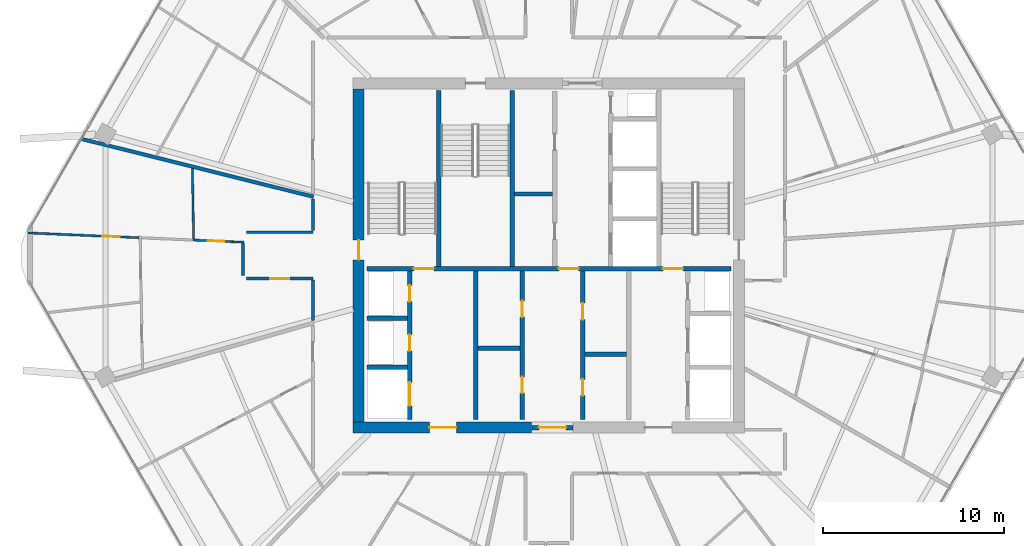
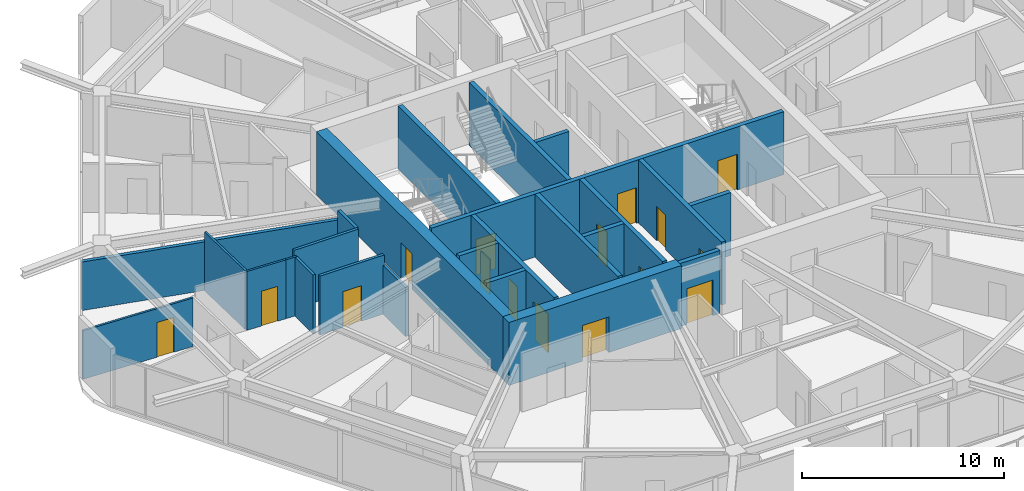
# One storey, part 20 of 26: 25 walls, 16 doors, 16 openings.
"""IFC4 building model written with IfcOpenShell, lengths in metres."""

from ifc_helpers import new_model, si_unit, direction, frame, frame_2d, origin, place, context, subcontext, project, spatial, rectangle, extrude, material, layer, layer_set, type_object, element, fill, save


model = new_model("IFC4")

# Units and contexts
model_context = context("Model", 3, precision=1e-05, world=origin(), true_north=direction((0.0, 1.0)))
body_context = subcontext(model_context, "Body", "Model", "MODEL_VIEW")
ifc_project = project(units=[si_unit("LENGTHUNIT", "METRE"), si_unit("AREAUNIT", "SQUARE_METRE"), si_unit("VOLUMEUNIT", "CUBIC_METRE"), si_unit("PLANEANGLEUNIT", "RADIAN"), si_unit("MASSUNIT", "GRAM", prefix="KILO")], contexts=[model_context])

# Site, building, storey
site_placement = place(None, origin())
site = spatial("IfcSite", under=ifc_project, at=site_placement, CompositionType="ELEMENT")
building_placement = place(site_placement, origin())
building = spatial("IfcBuilding", under=site, at=building_placement, Name="Zuhravey Tower", CompositionType="ELEMENT")
storey_placement = place(building_placement, frame((0.0, 0.0, 242.60009765625)))
storey = spatial("IfcBuildingStorey", under=building, at=storey_placement, Name="L61", CompositionType="ELEMENT", Elevation=242.60009765625)

# Wall, opening, door
ifc_material_1 = material(Name="Concrete C50/60", Category="concrete")
ifc_layer_1 = layer(ifc_material_1, 0.60009765625)
ifc_layer_set_1 = layer_set([ifc_layer_1], Name="Concrete C50/60")
wall_type_1 = type_object("IfcWallType", Name="Core Shear Wall 600", PredefinedType="SHEAR", material=ifc_layer_set_1)
wall_1_placement = place(storey_placement, frame((25.199951171875, 22.5, 0.0), z_axis=(0.0, 0.0, 1.0), x_axis=(1.0, 0.0, 0.0)))
wall_1 = element("IfcWall", 1, at=wall_1_placement, inside=storey, type_object=wall_type_1, Name="L61 South-West Core Shear Wall CW60", PredefinedType="SHEAR", context=body_context, shape_type="SweptSolid", body=[
    extrude(rectangle(XDim=9.85009765625, YDim=0.60009765625, at=frame_2d((4.925048828125, 0.0))), origin(), (0.0, 0.0, 1.0), 3.7998046875),
])
opening_1_placement = place(wall_1_placement, frame((4.199951171875, 0.0, 0.0)))
opening_1 = element("IfcOpeningElement", 2, at=opening_1_placement, cuts=wall_1, Name="Opening FFD1", PredefinedType="OPENING", context=body_context, shape_type="SweptSolid", body=[
    extrude(rectangle(XDim=1.5, YDim=2.14990234375, at=frame_2d((0.75, 1.074951171875))), frame((0.0, 0.31201171875, 0.0), z_axis=(0.0, -1.0, 0.0), x_axis=(1.0, 0.0, 0.0)), (0.0, 0.0, 1.0), 0.6240234375),
])
ifc_material_2 = material(Name="Galvanised fire-rated steel leaf", Category="steel")
door_type_1 = type_object("IfcDoorType", Name="Firefighting Lobby Double Door 1500x2150", OperationType="DOUBLE_DOOR_SINGLE_SWING", PredefinedType="DOOR", material=ifc_material_2)
door_1_placement = place(opening_1_placement, origin())
door_1 = element("IfcDoor", 3, at=door_1_placement, inside=storey, type_object=door_type_1, Name="L61 Firefighting Lobby West Door", OperationType="DOUBLE_DOOR_SINGLE_SWING", OverallHeight=2.14990234375, OverallWidth=1.5, PredefinedType="DOOR", context=body_context, shape_type="SweptSolid", body=[
    extrude(rectangle(XDim=1.5, YDim=2.14990234375, at=frame_2d((0.75, 1.074951171875))), frame((0.0, 0.02490234375, 0.0), z_axis=(0.0, -1.0, 0.0), x_axis=(1.0, 0.0, 0.0)), (0.0, 0.0, 1.0), 0.050048828125),
])
fill(opening_1, door_1)

wall_2_placement = place(storey_placement, frame((25.5, 22.800048828125, 0.0), z_axis=(0.0, 0.0, 1.0), x_axis=(0.0, 1.0, 0.0)))
wall_2 = element("IfcWall", 4, at=wall_2_placement, inside=storey, type_object=wall_type_1, Name="L61 West Core Shear Wall CW60", PredefinedType="SHEAR", context=body_context, shape_type="SweptSolid", body=[
    extrude(rectangle(XDim=18.39990234375, YDim=0.60009765625, at=frame_2d((9.199951171875, 0.0))), origin(), (0.0, 0.0, 1.0), 3.7998046875),
])
opening_2_placement = place(wall_2_placement, frame((8.949951171875, 0.0, 0.0)))
opening_2 = element("IfcOpeningElement", 5, at=opening_2_placement, cuts=wall_2, Name="Opening STD1", PredefinedType="OPENING", context=body_context, shape_type="SweptSolid", body=[
    extrude(rectangle(XDim=1.10009765625, YDim=2.14990234375, at=frame_2d((0.550048828125, 1.074951171875))), frame((0.0, 0.31201171875, 0.0), z_axis=(0.0, -1.0, 0.0), x_axis=(1.0, 0.0, 0.0)), (0.0, 0.0, 1.0), 0.6240234375),
])
door_type_2 = type_object("IfcDoorType", Name="Protected Stair Fire Door 1100x2150", OperationType="NOTDEFINED", PredefinedType="USERDEFINED", material=ifc_material_2)
door_2_placement = place(opening_2_placement, frame((1.10009765625, 0.0, 0.0), z_axis=(0.0, 0.0, 1.0), x_axis=(-1.0, 0.0, 0.0)))
door_2 = element("IfcDoor", 6, at=door_2_placement, inside=storey, type_object=door_type_2, Name="L61 Stair ST1 Door", ObjectType="EXITDOOR", OperationType="SINGLE_SWING_RIGHT", OverallHeight=2.14990234375, OverallWidth=1.10009765625, PredefinedType="USERDEFINED", context=body_context, shape_type="SweptSolid", body=[
    extrude(rectangle(XDim=1.10009765625, YDim=2.14990234375, at=frame_2d((0.550048828125, 1.074951171875))), frame((0.0, 0.02490234375, 0.0), z_axis=(0.0, -1.0, 0.0), x_axis=(1.0, 0.0, 0.0)), (0.0, 0.0, 1.0), 0.050048828125),
])
fill(opening_2, door_2)

ifc_material_3 = material(Name="Gypsum fire-rated stud partition")
ifc_layer_2 = layer(ifc_material_3, 0.159912109375)
ifc_layer_set_2 = layer_set([ifc_layer_2], Name="Gypsum fire-rated stud partition")
wall_type_2 = type_object("IfcWallType", Name="Corridor Fire Partition 160", PredefinedType="PARTITIONING", material=ifc_layer_set_2)
wall_3_placement = place(storey_placement, frame((19.300048828125, 30.719970703125, 0.0), z_axis=(0.0, 0.0, 1.0), x_axis=(1.0, 0.0, 0.0)))
wall_3 = element("IfcWall", 7, at=wall_3_placement, inside=storey, type_object=wall_type_2, Name="L61 IW16 Partition 034", PredefinedType="PARTITIONING", context=body_context, shape_type="SweptSolid", body=[
    extrude(rectangle(XDim=3.669921875, YDim=0.159912109375, at=frame_2d((1.8349609375, 0.0))), origin(), (0.0, 0.0, 1.0), 3.5498046875),
])
opening_3_placement = place(wall_3_placement, frame((1.31005859375, 0.0, 0.0)))
opening_3 = element("IfcOpeningElement", 8, at=opening_3_placement, cuts=wall_3, Name="Opening APD1", PredefinedType="OPENING", context=body_context, shape_type="SweptSolid", body=[
    extrude(rectangle(XDim=1.050048828125, YDim=2.14990234375, at=frame_2d((0.52490234375, 1.074951171875))), frame((0.0, 0.092041015625, 0.0), z_axis=(0.0, -1.0, 0.0), x_axis=(1.0, 0.0, 0.0)), (0.0, 0.0, 1.0), 0.183837890625),
])
ifc_material_4 = material(Name="Solid-core oak fire-rated leaf")
door_type_3 = type_object("IfcDoorType", Name="Apartment Entrance Fire Door 1050x2150", OperationType="NOTDEFINED", PredefinedType="DOOR", material=ifc_material_4)
door_3_placement = place(opening_3_placement, frame((1.050048828125, 0.0, 0.0), z_axis=(0.0, 0.0, 1.0), x_axis=(-1.0, 0.0, 0.0)))
door_3 = element("IfcDoor", 9, at=door_3_placement, inside=storey, type_object=door_type_3, Name="L61 Door 034.1", OperationType="SINGLE_SWING_RIGHT", OverallHeight=2.14990234375, OverallWidth=1.050048828125, PredefinedType="DOOR", context=body_context, shape_type="SweptSolid", body=[
    extrude(rectangle(XDim=1.050048828125, YDim=2.14990234375, at=frame_2d((0.52490234375, 1.074951171875))), frame((0.0, 0.02490234375, 0.0), z_axis=(0.0, -1.0, 0.0), x_axis=(1.0, 0.0, 0.0)), (0.0, 0.0, 1.0), 0.050048828125),
])
fill(opening_3, door_3)

# Walls
wall_4_placement = place(storey_placement, frame((22.969970703125, 30.632080078125, 0.0), z_axis=(0.0, 0.0, 1.0), x_axis=(0.0, -1.0, 0.0)))
element("IfcWall", 10, at=wall_4_placement, inside=storey, type_object=wall_type_2, Name="L61 IW16 Partition 124", PredefinedType="PARTITIONING", context=body_context, shape_type="SweptSolid", body=[
    extrude(rectangle(XDim=2.224853515625, YDim=0.159912109375, at=frame_2d((1.1123046875, 0.0))), origin(), (0.0, 0.0, 1.0), 2.949951171875),
])
wall_5_placement = place(storey_placement, frame((19.1201171875, 32.6630859375, 0.0), z_axis=(0.0, 0.0, 1.0), x_axis=(0.0, -1.0, 0.0)))
element("IfcWall", 11, at=wall_5_placement, inside=storey, type_object=wall_type_2, Name="L61 IW16 Partition 125", PredefinedType="PARTITIONING", context=body_context, shape_type="SweptSolid", body=[
    extrude(rectangle(XDim=1.76318359375, YDim=0.159912109375, at=frame_2d((0.881591796875, 0.0))), origin(), (0.0, 0.0, 1.0), 3.5498046875),
])
wall_6_placement = place(storey_placement, frame((22.969970703125, 33.280029296875, 0.0), z_axis=(0.0, 0.0, 1.0), x_axis=(-1.0, 0.0, 0.0)))
element("IfcWall", 12, at=wall_6_placement, inside=storey, type_object=wall_type_2, Name="L61 IW16 Partition 126", PredefinedType="PARTITIONING", context=body_context, shape_type="SweptSolid", body=[
    extrude(rectangle(XDim=3.669921875, YDim=0.159912109375, at=frame_2d((1.8349609375, 0.0))), origin(), (0.0, 0.0, 1.0), 3.5498046875),
])
wall_7_placement = place(storey_placement, frame((22.969970703125, 35.107666015625, 0.0), z_axis=(0.0, 0.0, 1.0), x_axis=(0.0, -1.0, 0.0)))
element("IfcWall", 13, at=wall_7_placement, inside=storey, type_object=wall_type_2, Name="L61 IW16 Partition 127", PredefinedType="PARTITIONING", context=body_context, shape_type="SweptSolid", body=[
    extrude(rectangle(XDim=1.73974609375, YDim=0.159912109375, at=frame_2d((0.869873046875, 0.0))), origin(), (0.0, 0.0, 1.0), 3.5498046875),
])

# Wall, opening, door
ifc_layer_3 = layer(ifc_material_1, 0.25)
ifc_layer_set_3 = layer_set([ifc_layer_3], Name="Concrete C50/60")
wall_type_3 = type_object("IfcWallType", Name="Firefighting Shaft & Stair Wall 250", PredefinedType="SOLIDWALL", material=ifc_layer_set_3)
wall_8_placement = place(storey_placement, frame((35.06005859375, 22.5, 0.0), z_axis=(0.0, 0.0, 1.0), x_axis=(1.0, 0.0, 0.0)))
wall_8 = element("IfcWall", 14, at=wall_8_placement, inside=storey, type_object=wall_type_3, Name="L61 FW25 Shaft Wall 001", PredefinedType="SOLIDWALL", context=body_context, shape_type="SweptSolid", body=[
    extrude(rectangle(XDim=2.280029296875, YDim=0.25, at=frame_2d((1.14013671875, 0.0))), origin(), (0.0, 0.0, 1.0), 3.7998046875),
])
opening_4_placement = place(wall_8_placement, frame((0.389892578125, 0.0, 0.0)))
opening_4 = element("IfcOpeningElement", 15, at=opening_4_placement, cuts=wall_8, Name="Opening FFD1", PredefinedType="OPENING", context=body_context, shape_type="SweptSolid", body=[
    extrude(rectangle(XDim=1.5, YDim=2.14990234375, at=frame_2d((0.75, 1.074951171875))), frame((0.0, 0.136962890625, 0.0), z_axis=(0.0, -1.0, 0.0), x_axis=(1.0, 0.0, 0.0)), (0.0, 0.0, 1.0), 0.27392578125),
])
door_4_placement = place(opening_4_placement, frame((1.5, 0.0, 0.0), z_axis=(0.0, 0.0, 1.0), x_axis=(-1.0, 0.0, 0.0)))
door_4 = element("IfcDoor", 16, at=door_4_placement, inside=storey, type_object=door_type_1, Name="L61 South Lift Lobby Exit Door", OperationType="DOUBLE_DOOR_SINGLE_SWING", OverallHeight=2.14990234375, OverallWidth=1.5, PredefinedType="DOOR", context=body_context, shape_type="SweptSolid", body=[
    extrude(rectangle(XDim=1.5, YDim=2.14990234375, at=frame_2d((0.75, 1.074951171875))), frame((0.0, 0.02490234375, 0.0), z_axis=(0.0, -1.0, 0.0), x_axis=(1.0, 0.0, 0.0)), (0.0, 0.0, 1.0), 0.050048828125),
])
fill(opening_4, door_4)

# Wall, openings, doors
wall_9_placement = place(storey_placement, frame((25.949951171875, 31.27490234375, 0.0), z_axis=(0.0, 0.0, 1.0), x_axis=(1.0, 0.0, 0.0)))
wall_9 = element("IfcWall", 17, at=wall_9_placement, inside=storey, type_object=wall_type_3, Name="L61 FW25 Shaft Wall 003", PredefinedType="SOLIDWALL", context=body_context, shape_type="SweptSolid", body=[
    extrude(rectangle(XDim=20.10009765625, YDim=0.25, at=frame_2d((10.050048828125, 0.0))), origin(), (0.0, 0.0, 1.0), 3.7998046875),
])
opening_5_placement = place(wall_9_placement, frame((2.60009765625, 0.0, 0.0)))
opening_5 = element("IfcOpeningElement", 18, at=opening_5_placement, cuts=wall_9, Name="Opening STD1", PredefinedType="OPENING", context=body_context, shape_type="SweptSolid", body=[
    extrude(rectangle(XDim=1.10009765625, YDim=2.14990234375, at=frame_2d((0.550048828125, 1.074951171875))), frame((0.0, 0.136962890625, 0.0), z_axis=(0.0, -1.0, 0.0), x_axis=(1.0, 0.0, 0.0)), (0.0, 0.0, 1.0), 0.27392578125),
])
opening_6_placement = place(wall_9_placement, frame((10.60009765625, 0.0, 0.0)))
opening_6 = element("IfcOpeningElement", 19, at=opening_6_placement, cuts=wall_9, Name="Opening STD1", PredefinedType="OPENING", context=body_context, shape_type="SweptSolid", body=[
    extrude(rectangle(XDim=1.10009765625, YDim=2.14990234375, at=frame_2d((0.550048828125, 1.074951171875))), frame((0.0, 0.136962890625, 0.0), z_axis=(0.0, -1.0, 0.0), x_axis=(1.0, 0.0, 0.0)), (0.0, 0.0, 1.0), 0.27392578125),
])
opening_7_placement = place(wall_9_placement, frame((16.35009765625, 0.0, 0.0)))
opening_7 = element("IfcOpeningElement", 20, at=opening_7_placement, cuts=wall_9, Name="Opening STD1", PredefinedType="OPENING", context=body_context, shape_type="SweptSolid", body=[
    extrude(rectangle(XDim=1.10009765625, YDim=2.14990234375, at=frame_2d((0.550048828125, 1.074951171875))), frame((0.0, 0.136962890625, 0.0), z_axis=(0.0, -1.0, 0.0), x_axis=(1.0, 0.0, 0.0)), (0.0, 0.0, 1.0), 0.27392578125),
])
door_5_placement = place(opening_5_placement, origin())
door_5 = element("IfcDoor", 21, at=door_5_placement, inside=storey, type_object=door_type_2, Name="L61 FFL-W to ST1 Door", ObjectType="EXITDOOR", OperationType="SINGLE_SWING_LEFT", OverallHeight=2.14990234375, OverallWidth=1.10009765625, PredefinedType="USERDEFINED", context=body_context, shape_type="SweptSolid", body=[
    extrude(rectangle(XDim=1.10009765625, YDim=2.14990234375, at=frame_2d((0.550048828125, 1.074951171875))), frame((0.0, 0.02490234375, 0.0), z_axis=(0.0, -1.0, 0.0), x_axis=(1.0, 0.0, 0.0)), (0.0, 0.0, 1.0), 0.050048828125),
])
fill(opening_5, door_5)
door_6_placement = place(opening_6_placement, origin())
door_6 = element("IfcDoor", 22, at=door_6_placement, inside=storey, type_object=door_type_2, Name="L61 Core Lobby Link Door", ObjectType="EXITDOOR", OperationType="SINGLE_SWING_RIGHT", OverallHeight=2.14990234375, OverallWidth=1.10009765625, PredefinedType="USERDEFINED", context=body_context, shape_type="SweptSolid", body=[
    extrude(rectangle(XDim=1.10009765625, YDim=2.14990234375, at=frame_2d((0.550048828125, 1.074951171875))), frame((0.0, 0.02490234375, 0.0), z_axis=(0.0, -1.0, 0.0), x_axis=(1.0, 0.0, 0.0)), (0.0, 0.0, 1.0), 0.050048828125),
])
fill(opening_6, door_6)
door_7_placement = place(opening_7_placement, origin())
door_7 = element("IfcDoor", 23, at=door_7_placement, inside=storey, type_object=door_type_2, Name="L61 FFL-E to ST2 Door", ObjectType="EXITDOOR", OperationType="SINGLE_SWING_LEFT", OverallHeight=2.14990234375, OverallWidth=1.10009765625, PredefinedType="USERDEFINED", context=body_context, shape_type="SweptSolid", body=[
    extrude(rectangle(XDim=1.10009765625, YDim=2.14990234375, at=frame_2d((0.550048828125, 1.074951171875))), frame((0.0, 0.02490234375, 0.0), z_axis=(0.0, -1.0, 0.0), x_axis=(1.0, 0.0, 0.0)), (0.0, 0.0, 1.0), 0.050048828125),
])
fill(opening_7, door_7)

# Walls
for number, where, z_axis, x_axis, name in (
    (24, (29.925048828125, 31.39990234375, 0.0), (0.0, 0.0, 1.0), (0.0, 1.0, 0.0), "L61 FW25 Shaft Wall 004"),
    (25, (33.97509765625, 31.39990234375, 0.0), (0.0, 0.0, 1.0), (0.0, 1.0, 0.0), "L61 FW25 Shaft Wall 005"),
):
    element("IfcWall", number, at=place(storey_placement, frame(where, z_axis=z_axis, x_axis=x_axis)), inside=storey, type_object=wall_type_3, Name=name, PredefinedType="SOLIDWALL", context=body_context, shape_type="SweptSolid", body=[
        extrude(rectangle(XDim=9.7001953125, YDim=0.25, at=frame_2d((4.85009765625, 0.0))), origin(), (0.0, 0.0, 1.0), 3.7998046875),
    ])
for number, where, z_axis, x_axis, name in (
    (26, (25.949951171875, 25.824951171875, 0.0), (0.0, 0.0, 1.0), (1.0, 0.0, 0.0), "L61 FW25 Shaft Wall 009"),
    (27, (25.949951171875, 28.52490234375, 0.0), (0.0, 0.0, 1.0), (1.0, 0.0, 0.0), "L61 FW25 Shaft Wall 010"),
):
    element("IfcWall", number, at=place(storey_placement, frame(where, z_axis=z_axis, x_axis=x_axis)), inside=storey, type_object=wall_type_3, Name=name, PredefinedType="SOLIDWALL", context=body_context, shape_type="SweptSolid", body=[
        extrude(rectangle(XDim=2.25, YDim=0.25, at=frame_2d((1.125, 0.0))), origin(), (0.0, 0.0, 1.0), 3.7998046875),
    ])

# Wall, openings, doors
wall_10_placement = place(storey_placement, frame((28.324951171875, 22.949951171875, 0.0), z_axis=(0.0, 0.0, 1.0), x_axis=(0.0, 1.0, 0.0)))
wall_10 = element("IfcWall", 28, at=wall_10_placement, inside=storey, type_object=wall_type_3, Name="L61 FW25 Shaft Wall 011", PredefinedType="SOLIDWALL", context=body_context, shape_type="SweptSolid", body=[
    extrude(rectangle(XDim=8.199951171875, YDim=0.25, at=frame_2d((4.10009765625, 0.0))), origin(), (0.0, 0.0, 1.0), 3.7998046875),
])
opening_8_placement = place(wall_10_placement, frame((0.75, 0.0, 0.0)))
opening_8 = element("IfcOpeningElement", 29, at=opening_8_placement, cuts=wall_10, Name="Opening LD2", PredefinedType="OPENING", context=body_context, shape_type="SweptSolid", body=[
    extrude(rectangle(XDim=1.300048828125, YDim=2.300048828125, at=frame_2d((0.64990234375, 1.14990234375))), frame((0.0, 0.136962890625, 0.0), z_axis=(0.0, -1.0, 0.0), x_axis=(1.0, 0.0, 0.0)), (0.0, 0.0, 1.0), 0.27392578125),
])
opening_9_placement = place(wall_10_placement, frame((3.780029296875, 0.0, 0.0)))
opening_9 = element("IfcOpeningElement", 30, at=opening_9_placement, cuts=wall_10, Name="Opening RSD1", PredefinedType="OPENING", context=body_context, shape_type="SweptSolid", body=[
    extrude(rectangle(XDim=0.89990234375, YDim=2.10009765625, at=frame_2d((0.449951171875, 1.050048828125))), frame((0.0, 0.136962890625, 0.0), z_axis=(0.0, -1.0, 0.0), x_axis=(1.0, 0.0, 0.0)), (0.0, 0.0, 1.0), 0.27392578125),
])
opening_10_placement = place(wall_10_placement, frame((6.5, 0.0, 0.0)))
opening_10 = element("IfcOpeningElement", 31, at=opening_10_placement, cuts=wall_10, Name="Opening RSD1", PredefinedType="OPENING", context=body_context, shape_type="SweptSolid", body=[
    extrude(rectangle(XDim=0.89990234375, YDim=2.10009765625, at=frame_2d((0.449951171875, 1.050048828125))), frame((0.0, 0.136962890625, 0.0), z_axis=(0.0, -1.0, 0.0), x_axis=(1.0, 0.0, 0.0)), (0.0, 0.0, 1.0), 0.27392578125),
])
ifc_material_5 = material(Name="Brushed stainless steel", Category="steel")
door_type_4 = type_object("IfcDoorType", Name="Freight & Stretcher Lift Sliding Door 1300x2300", OperationType="DOUBLE_DOOR_SLIDING", PredefinedType="DOOR", material=ifc_material_5)
door_8_placement = place(opening_8_placement, frame((1.300048828125, 0.0, 0.0), z_axis=(0.0, 0.0, 1.0), x_axis=(-1.0, 0.0, 0.0)))
door_8 = element("IfcDoor", 32, at=door_8_placement, inside=storey, type_object=door_type_4, Name="L61 Lift FF1 Landing Door", OperationType="DOUBLE_DOOR_SLIDING", OverallHeight=2.300048828125, OverallWidth=1.300048828125, PredefinedType="DOOR", context=body_context, shape_type="SweptSolid", body=[
    extrude(rectangle(XDim=1.300048828125, YDim=2.300048828125, at=frame_2d((0.64990234375, 1.14990234375))), frame((0.0, 0.02490234375, 0.0), z_axis=(0.0, -1.0, 0.0), x_axis=(1.0, 0.0, 0.0)), (0.0, 0.0, 1.0), 0.050048828125),
])
fill(opening_8, door_8)
ifc_material_6 = material(Name="Galvanised fire-rated steel access leaf", Category="steel")
door_type_5 = type_object("IfcDoorType", Name="Riser & Shaft Access Fire Door 900x2100", OperationType="NOTDEFINED", PredefinedType="DOOR", material=ifc_material_6)
door_9_placement = place(opening_9_placement, frame((0.89990234375, 0.0, 0.0), z_axis=(0.0, 0.0, 1.0), x_axis=(-1.0, 0.0, 0.0)))
door_9 = element("IfcDoor", 33, at=door_9_placement, inside=storey, type_object=door_type_5, Name="L61 Electrical Riser Door", OperationType="SINGLE_SWING_LEFT", OverallHeight=2.10009765625, OverallWidth=0.89990234375, PredefinedType="DOOR", context=body_context, shape_type="SweptSolid", body=[
    extrude(rectangle(XDim=0.89990234375, YDim=2.10009765625, at=frame_2d((0.449951171875, 1.050048828125))), frame((0.0, 0.02490234375, 0.0), z_axis=(0.0, -1.0, 0.0), x_axis=(1.0, 0.0, 0.0)), (0.0, 0.0, 1.0), 0.050048828125),
])
fill(opening_9, door_9)
door_10_placement = place(opening_10_placement, frame((0.89990234375, 0.0, 0.0), z_axis=(0.0, 0.0, 1.0), x_axis=(-1.0, 0.0, 0.0)))
door_10 = element("IfcDoor", 34, at=door_10_placement, inside=storey, type_object=door_type_5, Name="L61 Smoke Shaft Access Door", OperationType="SINGLE_SWING_RIGHT", OverallHeight=2.10009765625, OverallWidth=0.89990234375, PredefinedType="DOOR", context=body_context, shape_type="SweptSolid", body=[
    extrude(rectangle(XDim=0.89990234375, YDim=2.10009765625, at=frame_2d((0.449951171875, 1.050048828125))), frame((0.0, 0.02490234375, 0.0), z_axis=(0.0, -1.0, 0.0), x_axis=(1.0, 0.0, 0.0)), (0.0, 0.0, 1.0), 0.050048828125),
])
fill(opening_10, door_10)

# Walls
wall_11_placement = place(storey_placement, frame((31.97509765625, 22.949951171875, 0.0), z_axis=(0.0, 0.0, 1.0), x_axis=(0.0, 1.0, 0.0)))
element("IfcWall", 35, at=wall_11_placement, inside=storey, type_object=wall_type_3, Name="L61 FW25 Shaft Wall 012", PredefinedType="SOLIDWALL", context=body_context, shape_type="SweptSolid", body=[
    extrude(rectangle(XDim=8.199951171875, YDim=0.25, at=frame_2d((4.10009765625, 0.0))), origin(), (0.0, 0.0, 1.0), 3.7998046875),
])
wall_12_placement = place(storey_placement, frame((32.10009765625, 26.875, 0.0), z_axis=(0.0, 0.0, 1.0), x_axis=(1.0, 0.0, 0.0)))
element("IfcWall", 36, at=wall_12_placement, inside=storey, type_object=wall_type_3, Name="L61 FW25 Shaft Wall 013", PredefinedType="SOLIDWALL", context=body_context, shape_type="SweptSolid", body=[
    extrude(rectangle(XDim=2.2998046875, YDim=0.25, at=frame_2d((1.14990234375, 0.0))), origin(), (0.0, 0.0, 1.0), 3.7998046875),
])

# Wall, openings, doors
wall_13_placement = place(storey_placement, frame((34.52490234375, 22.949951171875, 0.0), z_axis=(0.0, 0.0, 1.0), x_axis=(0.0, 1.0, 0.0)))
wall_13 = element("IfcWall", 37, at=wall_13_placement, inside=storey, type_object=wall_type_3, Name="L61 FW25 Shaft Wall 014", PredefinedType="SOLIDWALL", context=body_context, shape_type="SweptSolid", body=[
    extrude(rectangle(XDim=8.199951171875, YDim=0.25, at=frame_2d((4.10009765625, 0.0))), origin(), (0.0, 0.0, 1.0), 3.7998046875),
])
opening_11_placement = place(wall_13_placement, frame((1.449951171875, 0.0, 0.0)))
opening_11 = element("IfcOpeningElement", 38, at=opening_11_placement, cuts=wall_13, Name="Opening RSD1", PredefinedType="OPENING", context=body_context, shape_type="SweptSolid", body=[
    extrude(rectangle(XDim=0.89990234375, YDim=2.10009765625, at=frame_2d((0.449951171875, 1.050048828125))), frame((0.0, 0.136962890625, 0.0), z_axis=(0.0, -1.0, 0.0), x_axis=(1.0, 0.0, 0.0)), (0.0, 0.0, 1.0), 0.27392578125),
])
opening_12_placement = place(wall_13_placement, frame((5.64990234375, 0.0, 0.0)))
opening_12 = element("IfcOpeningElement", 39, at=opening_12_placement, cuts=wall_13, Name="Opening RSD1", PredefinedType="OPENING", context=body_context, shape_type="SweptSolid", body=[
    extrude(rectangle(XDim=0.89990234375, YDim=2.10009765625, at=frame_2d((0.449951171875, 1.050048828125))), frame((0.0, 0.136962890625, 0.0), z_axis=(0.0, -1.0, 0.0), x_axis=(1.0, 0.0, 0.0)), (0.0, 0.0, 1.0), 0.27392578125),
])
door_11_placement = place(opening_11_placement, origin())
door_11 = element("IfcDoor", 40, at=door_11_placement, inside=storey, type_object=door_type_5, Name="L61 Housekeeping and Linen Room Door", OperationType="SINGLE_SWING_LEFT", OverallHeight=2.10009765625, OverallWidth=0.89990234375, PredefinedType="DOOR", context=body_context, shape_type="SweptSolid", body=[
    extrude(rectangle(XDim=0.89990234375, YDim=2.10009765625, at=frame_2d((0.449951171875, 1.050048828125))), frame((0.0, 0.02490234375, 0.0), z_axis=(0.0, -1.0, 0.0), x_axis=(1.0, 0.0, 0.0)), (0.0, 0.0, 1.0), 0.050048828125),
])
fill(opening_11, door_11)
door_12_placement = place(opening_12_placement, origin())
door_12 = element("IfcDoor", 41, at=door_12_placement, inside=storey, type_object=door_type_5, Name="L61 Telecoms Switch Closet Door", OperationType="SINGLE_SWING_RIGHT", OverallHeight=2.10009765625, OverallWidth=0.89990234375, PredefinedType="DOOR", context=body_context, shape_type="SweptSolid", body=[
    extrude(rectangle(XDim=0.89990234375, YDim=2.10009765625, at=frame_2d((0.449951171875, 1.050048828125))), frame((0.0, 0.02490234375, 0.0), z_axis=(0.0, -1.0, 0.0), x_axis=(1.0, 0.0, 0.0)), (0.0, 0.0, 1.0), 0.050048828125),
])
fill(opening_12, door_12)

# Wall
wall_14_placement = place(storey_placement, frame((38.0, 26.550048828125, 0.0), z_axis=(0.0, 0.0, 1.0), x_axis=(1.0, 0.0, 0.0)))
element("IfcWall", 42, at=wall_14_placement, inside=storey, type_object=wall_type_3, Name="L61 FW25 Shaft Wall 015", PredefinedType="SOLIDWALL", context=body_context, shape_type="SweptSolid", body=[
    extrude(rectangle(XDim=2.300048828125, YDim=0.25, at=frame_2d((1.14990234375, 0.0))), origin(), (0.0, 0.0, 1.0), 3.7998046875),
])

# Wall, openings, doors
wall_15_placement = place(storey_placement, frame((37.875, 22.949951171875, 0.0), z_axis=(0.0, 0.0, 1.0), x_axis=(0.0, 1.0, 0.0)))
wall_15 = element("IfcWall", 43, at=wall_15_placement, inside=storey, type_object=wall_type_3, Name="L61 FW25 Shaft Wall 016", PredefinedType="SOLIDWALL", context=body_context, shape_type="SweptSolid", body=[
    extrude(rectangle(XDim=8.199951171875, YDim=0.25, at=frame_2d((4.10009765625, 0.0))), origin(), (0.0, 0.0, 1.0), 3.7998046875),
])
opening_13_placement = place(wall_15_placement, frame((1.3125, 0.0, 0.0)))
opening_13 = element("IfcOpeningElement", 44, at=opening_13_placement, cuts=wall_15, Name="Opening RSD1", PredefinedType="OPENING", context=body_context, shape_type="SweptSolid", body=[
    extrude(rectangle(XDim=0.89990234375, YDim=2.10009765625, at=frame_2d((0.449951171875, 1.050048828125))), frame((0.0, 0.136962890625, 0.0), z_axis=(0.0, -1.0, 0.0), x_axis=(1.0, 0.0, 0.0)), (0.0, 0.0, 1.0), 0.27392578125),
])
opening_14_placement = place(wall_15_placement, frame((5.512451171875, 0.0, 0.0)))
opening_14 = element("IfcOpeningElement", 45, at=opening_14_placement, cuts=wall_15, Name="Opening RSD1", PredefinedType="OPENING", context=body_context, shape_type="SweptSolid", body=[
    extrude(rectangle(XDim=0.89990234375, YDim=2.10009765625, at=frame_2d((0.449951171875, 1.050048828125))), frame((0.0, 0.136962890625, 0.0), z_axis=(0.0, -1.0, 0.0), x_axis=(1.0, 0.0, 0.0)), (0.0, 0.0, 1.0), 0.27392578125),
])
door_13_placement = place(opening_13_placement, frame((0.89990234375, 0.0, 0.0), z_axis=(0.0, 0.0, 1.0), x_axis=(-1.0, 0.0, 0.0)))
door_13 = element("IfcDoor", 46, at=door_13_placement, inside=storey, type_object=door_type_5, Name="L61 Trunk Store Door", OperationType="SINGLE_SWING_LEFT", OverallHeight=2.10009765625, OverallWidth=0.89990234375, PredefinedType="DOOR", context=body_context, shape_type="SweptSolid", body=[
    extrude(rectangle(XDim=0.89990234375, YDim=2.10009765625, at=frame_2d((0.449951171875, 1.050048828125))), frame((0.0, 0.02490234375, 0.0), z_axis=(0.0, -1.0, 0.0), x_axis=(1.0, 0.0, 0.0)), (0.0, 0.0, 1.0), 0.050048828125),
])
fill(opening_13, door_13)
door_14_placement = place(opening_14_placement, frame((0.89990234375, 0.0, 0.0), z_axis=(0.0, 0.0, 1.0), x_axis=(-1.0, 0.0, 0.0)))
door_14 = element("IfcDoor", 47, at=door_14_placement, inside=storey, type_object=door_type_5, Name="L61 Fiber Room Door", OperationType="SINGLE_SWING_RIGHT", OverallHeight=2.10009765625, OverallWidth=0.89990234375, PredefinedType="DOOR", context=body_context, shape_type="SweptSolid", body=[
    extrude(rectangle(XDim=0.89990234375, YDim=2.10009765625, at=frame_2d((0.449951171875, 1.050048828125))), frame((0.0, 0.02490234375, 0.0), z_axis=(0.0, -1.0, 0.0), x_axis=(1.0, 0.0, 0.0)), (0.0, 0.0, 1.0), 0.050048828125),
])
fill(opening_14, door_14)

# Walls
ifc_material_7 = material(Name="Gypsum double-stud party assembly")
ifc_layer_4 = layer(ifc_material_7, 0.199951171875)
ifc_layer_set_4 = layer_set([ifc_layer_4], Name="Gypsum double-stud party assembly")
wall_type_4 = type_object("IfcWallType", Name="Inter-Tenancy Party Wall 200", PredefinedType="PARTITIONING", material=ifc_layer_set_4)
wall_16_placement = place(storey_placement, frame((23.010009765625, 35.23876953125, 0.0), z_axis=(0.0, 0.0, 1.0), x_axis=(-0.970296722433, 0.241917900197, 0.0)))
element("IfcWall", 48, at=wall_16_placement, inside=storey, type_object=wall_type_4, Name="L61 IW20 Partition 082", PredefinedType="PARTITIONING", context=body_context, shape_type="SweptSolid", body=[
    extrude(rectangle(XDim=13.206298828125, YDim=0.199951171875, at=frame_2d((6.60302734375, 0.0))), origin(), (0.0, 0.0, 1.0), 2.929931640625),
])
ifc_material_8 = material(Name="Gypsum acoustic stud assembly")
ifc_layer_5 = layer(ifc_material_8, 0.219970703125)
ifc_layer_set_5 = layer_set([ifc_layer_5], Name="Gypsum acoustic stud assembly")
wall_type_5 = type_object("IfcWallType", Name="School Acoustic Compartment Wall 220", PredefinedType="PARTITIONING", material=ifc_layer_set_5)
wall_17_placement = place(storey_placement, frame((34.10791015625, 35.39990234375, 0.0), z_axis=(0.0, 0.0, 1.0), x_axis=(1.0, 0.0, 0.0)))
element("IfcWall", 49, at=wall_17_placement, inside=storey, type_object=wall_type_5, Name="L61 IW22 Partition 069", PredefinedType="PARTITIONING", context=body_context, shape_type="SweptSolid", body=[
    extrude(rectangle(XDim=2.083984375, YDim=0.219970703125, at=frame_2d((1.0419921875, 0.0))), origin(), (0.0, 0.0, 1.0), 3.5498046875),
])

# Wall, opening, door
ifc_material_9 = material(Name="Gypsum metal-stud partition")
ifc_layer_6 = layer(ifc_material_9, 0.1201171875)
ifc_layer_set_6 = layer_set([ifc_layer_6], Name="Gypsum metal-stud partition")
wall_type_6 = type_object("IfcWallType", Name="Unit Internal Partition 120", PredefinedType="PARTITIONING", material=ifc_layer_set_6)
wall_18_placement = place(storey_placement, frame((18.550048828125, 32.755859375, 0.0), z_axis=(0.0, 0.0, 1.0), x_axis=(-0.999065825158, 0.04321431478, 0.0)))
wall_18 = element("IfcWall", 50, at=wall_18_placement, inside=storey, type_object=wall_type_6, Name="L61 IW12 Partition 031", PredefinedType="PARTITIONING", context=body_context, shape_type="SweptSolid", body=[
    extrude(rectangle(XDim=2.186279296875, YDim=0.1201171875, at=frame_2d((1.09326171875, 0.0))), origin(), (0.0, 0.0, 1.0), 3.5498046875),
])
opening_15_placement = place(wall_18_placement, frame((0.46826171875, 0.0, 0.0)))
opening_15 = element("IfcOpeningElement", 51, at=opening_15_placement, cuts=wall_18, Name="Opening WCD1", PredefinedType="OPENING", context=body_context, shape_type="SweptSolid", body=[
    extrude(rectangle(XDim=0.89990234375, YDim=2.10009765625, at=frame_2d((0.449951171875, 1.050048828125))), frame((0.0, 0.072021484375, 0.0), z_axis=(0.0, -1.0, 0.0), x_axis=(1.0, 0.0, 0.0)), (0.0, 0.0, 1.0), 0.14404296875),
])
ifc_material_10 = material(Name="Moisture-resistant timber leaf", Category="wood")
door_type_6 = type_object("IfcDoorType", Name="Bathroom & WC Internal Door 900x2100", OperationType="NOTDEFINED", PredefinedType="DOOR", material=ifc_material_10)
door_15_placement = place(opening_15_placement, frame((0.89990234375, 0.0, 0.0), z_axis=(0.0, 0.0, 1.0), x_axis=(-1.0, 0.0, 0.0)))
door_15 = element("IfcDoor", 52, at=door_15_placement, inside=storey, type_object=door_type_6, Name="Apartment L61-03 Bathroom Door", OperationType="SINGLE_SWING_RIGHT", OverallHeight=2.10009765625, OverallWidth=0.89990234375, PredefinedType="DOOR", context=body_context, shape_type="SweptSolid", body=[
    extrude(rectangle(XDim=0.89990234375, YDim=2.10009765625, at=frame_2d((0.449951171875, 1.050048828125))), frame((0.0, 0.02490234375, 0.0), z_axis=(0.0, -1.0, 0.0), x_axis=(1.0, 0.0, 0.0)), (0.0, 0.0, 1.0), 0.050048828125),
])
fill(opening_15, door_15)

wall_19_placement = place(storey_placement, frame((13.3740234375, 32.97998046875, 0.0), z_axis=(0.0, 0.0, 1.0), x_axis=(-0.999064479772, 0.043245407351, 0.0)))
wall_19 = element("IfcWall", 53, at=wall_19_placement, inside=storey, type_object=wall_type_6, Name="L61 IW12 Partition 033", PredefinedType="PARTITIONING", context=body_context, shape_type="SweptSolid", body=[
    extrude(rectangle(XDim=6.130859375, YDim=0.1201171875, at=frame_2d((3.0654296875, 0.0))), origin(), (0.0, 0.0, 1.0), 2.929931640625),
])
opening_16_placement = place(wall_19_placement, frame((1.068115234375, 0.0, 0.0)))
opening_16 = element("IfcOpeningElement", 54, at=opening_16_placement, cuts=wall_19, Name="Opening IND1", PredefinedType="OPENING", context=body_context, shape_type="SweptSolid", body=[
    extrude(rectangle(XDim=0.949951171875, YDim=2.10009765625, at=frame_2d((0.47509765625, 1.050048828125))), frame((0.0, 0.072021484375, 0.0), z_axis=(0.0, -1.0, 0.0), x_axis=(1.0, 0.0, 0.0)), (0.0, 0.0, 1.0), 0.14404296875),
])
ifc_material_11 = material(Name="Painted engineered timber leaf", Category="wood")
door_type_7 = type_object("IfcDoorType", Name="Internal Room & Bedroom Door 950x2100", OperationType="NOTDEFINED", PredefinedType="DOOR", material=ifc_material_11)
door_16_placement = place(opening_16_placement, frame((0.949951171875, 0.0, 0.0), z_axis=(0.0, 0.0, 1.0), x_axis=(-1.0, 0.0, 0.0)))
door_16 = element("IfcDoor", 55, at=door_16_placement, inside=storey, type_object=door_type_7, Name="Apartment L61-03 Kitchen Door", OperationType="SINGLE_SWING_LEFT", OverallHeight=2.10009765625, OverallWidth=0.949951171875, PredefinedType="DOOR", context=body_context, shape_type="SweptSolid", body=[
    extrude(rectangle(XDim=0.949951171875, YDim=2.10009765625, at=frame_2d((0.47509765625, 1.050048828125))), frame((0.0, 0.02490234375, 0.0), z_axis=(0.0, -1.0, 0.0), x_axis=(1.0, 0.0, 0.0)), (0.0, 0.0, 1.0), 0.050048828125),
])
fill(opening_16, door_16)

# Walls
wall_20_placement = place(storey_placement, frame((19.1650390625, 32.72900390625, 0.0), z_axis=(0.0, 0.0, 1.0), x_axis=(-0.999047908993, 0.043626546244, 0.0)))
element("IfcWall", 56, at=wall_20_placement, inside=storey, type_object=wall_type_6, Name="L61 IW12 Partition 084", PredefinedType="PARTITIONING", context=body_context, shape_type="SweptSolid", body=[
    extrude(rectangle(XDim=0.615478515625, YDim=0.1201171875, at=frame_2d((0.3076171875, 0.0))), origin(), (0.0, 0.0, 1.0), 3.5498046875),
])
wall_21_placement = place(storey_placement, frame((16.322021484375, 36.794921875, 0.0), z_axis=(0.0, 0.0, 1.0), x_axis=(0.017438476192, -0.999847938213, 0.0)))
element("IfcWall", 57, at=wall_21_placement, inside=storey, type_object=wall_type_6, Name="L61 IW12 Partition 085", PredefinedType="PARTITIONING", context=body_context, shape_type="SweptSolid", body=[
    extrude(rectangle(XDim=3.8779296875, YDim=0.1201171875, at=frame_2d((1.93896484375, 0.0))), origin(), (0.0, 0.0, 1.0), 3.5498046875),
])

save(model, "model.ifc")
